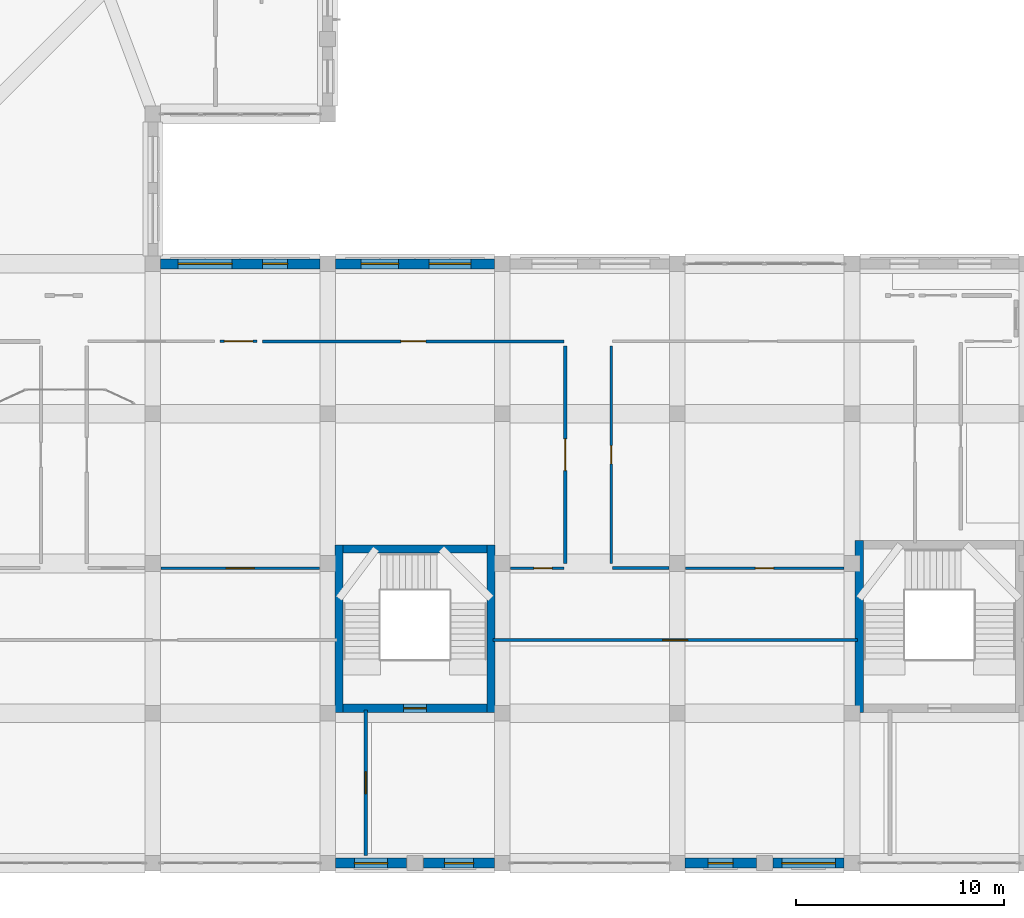
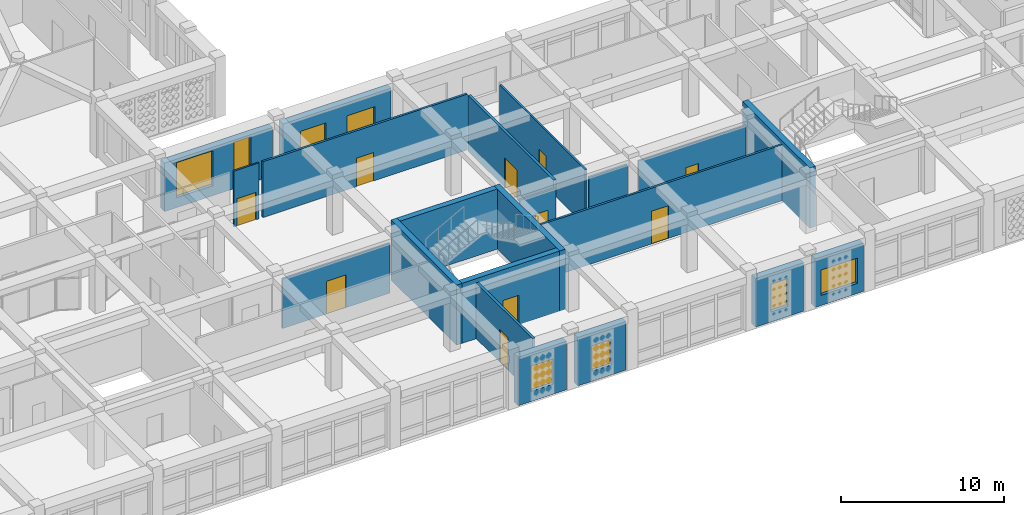
# One storey, part 78 of 121: 21 walls, 10 doors, 8 windows, 18 openings.
"""IFC4 building model written with IfcOpenShell, lengths in metres."""

import ifcopenshell
import ifcopenshell.guid

model = None  # the IFC model being written
_history = None  # IfcOwnerHistory: only IFC2X3 demands one
_inside = {}  # id of a spatial element -> (the spatial element, [elements in it])
_under = {}  # id of a project, library or spatial element -> (it, [spatial elements below it])
_declared = {}  # id of a project -> (the project, [libraries it declares])
_typed = {}  # id of a type object -> (the type object, [elements of that type])
_made_of = {}  # id of a material, layer set ... -> (it, [elements and type objects made of it])


def new_model(schema):
    """Start an empty IFC model of exactly this schema.

    Asked for "IFC4X3", IfcOpenShell would pick the latest addendum, in which some entities
    have other attributes; the version numbers below select the first issue.
    IFC2X3 requires an IfcOwnerHistory on every rooted entity: one is made here for all.
    """
    global model, _history
    if schema == "IFC4X3":
        model = ifcopenshell.file(schema_version=(4, 3, 0, 0))
    else:
        model = ifcopenshell.file(schema=schema)
    _inside.clear()
    _under.clear()
    _declared.clear()
    _typed.clear()
    _made_of.clear()
    _history = None
    if model.schema == "IFC2X3":
        org = make("IfcOrganization", Name="unknown")
        user = make(
            "IfcPersonAndOrganization",
            ThePerson=make("IfcPerson", FamilyName="unknown"),
            TheOrganization=org,
        )
        app = make(
            "IfcApplication",
            ApplicationDeveloper=org,
            Version="unknown",
            ApplicationFullName="unknown",
            ApplicationIdentifier="unknown",
        )
        _history = make(
            "IfcOwnerHistory",
            OwningUser=user,
            OwningApplication=app,
            ChangeAction="ADDED",
            CreationDate=0,
        )
    return model


def make(cls, **values):
    """One entity of the class cls with the attributes given. An attribute that is None is left unset."""
    return model.create_entity(
        cls, **{name: value for name, value in values.items() if value is not None}
    )


def rooted(cls, **values):
    """An entity with a GlobalId (a new one), such as an element, a storey or a relation."""
    return make(cls, GlobalId=ifcopenshell.guid.new(), OwnerHistory=_history, **values)


def si_unit(unit_type, name, prefix=None):
    """IfcSIUnit, for example si_unit("LENGTHUNIT", "METRE", prefix="MILLI")."""
    return make("IfcSIUnit", UnitType=unit_type, Prefix=prefix, Name=name)


def derived_unit(unit_type, elements):
    """IfcDerivedUnit: a product of units, each with its exponent."""
    return make(
        "IfcDerivedUnit",
        Elements=[
            make("IfcDerivedUnitElement", Unit=unit, Exponent=power)
            for unit, power in elements
        ],
        UnitType=unit_type,
    )


def assignment(units):
    """IfcUnitAssignment: the units of a project."""
    return None if units is None else make("IfcUnitAssignment", Units=units)


def point(xyz):
    """IfcCartesianPoint."""
    return None if xyz is None else make("IfcCartesianPoint", Coordinates=xyz)


def direction(xyz):
    """IfcDirection."""
    return None if xyz is None else make("IfcDirection", DirectionRatios=xyz)


def frame(location, z_axis=None, x_axis=None):
    """IfcAxis2Placement3D, a coordinate frame: its origin and axes. An axis left out is left unset."""
    return make(
        "IfcAxis2Placement3D",
        Location=point(location),
        Axis=direction(z_axis),
        RefDirection=direction(x_axis),
    )


def frame_2d(location, x_axis=None):
    """IfcAxis2Placement2D, a coordinate frame in the plane: its origin and x axis."""
    return make(
        "IfcAxis2Placement2D", Location=point(location), RefDirection=direction(x_axis)
    )


def origin():
    """The frame at (0, 0, 0) with its axes left unset."""
    return frame((0.0, 0.0, 0.0))


def place(relative_to, where):
    """IfcLocalPlacement: puts the frame where relative to a parent placement (None: the world)."""
    return make(
        "IfcLocalPlacement", PlacementRelTo=relative_to, RelativePlacement=where
    )


def context(
    kind, dimensions, precision=None, world=None, true_north=None, identifier=None
):
    """IfcGeometricRepresentationContext, for example the 3D "Model" context."""
    return make(
        "IfcGeometricRepresentationContext",
        ContextIdentifier=identifier,
        ContextType=kind,
        CoordinateSpaceDimension=dimensions,
        Precision=precision,
        WorldCoordinateSystem=world,
        TrueNorth=true_north,
    )


def subcontext(parent, identifier, kind, view, scale=None):
    """IfcGeometricRepresentationSubContext, for example "Body" below "Model"."""
    return make(
        "IfcGeometricRepresentationSubContext",
        ContextIdentifier=identifier,
        ContextType=kind,
        ParentContext=parent,
        TargetScale=scale,
        TargetView=view,
    )


def project(units=None, contexts=None):
    """IfcProject with its units and contexts."""
    return rooted(
        "IfcProject",
        Name="project",
        RepresentationContexts=contexts,
        UnitsInContext=assignment(units),
    )


def spatial(cls, under=None, at=None, **own):
    """A site, building, storey or space (cls), placed at a placement, below another one or the project."""
    s = rooted(cls, ObjectPlacement=at, **own)
    if under is not None:
        _under.setdefault(under.id(), (under, []))[1].append(s)
    return s


def profile(cls, at=None, kind="AREA", **sizes):
    """A parametric profile (cls). Its sizes go by their IFC names, for example OverallWidth=200.0."""
    return make(cls, ProfileType=kind, Position=at, **sizes)


def rectangle(**sizes):
    """IfcRectangleProfileDef."""
    return profile("IfcRectangleProfileDef", **sizes)


def extrude(swept, where, along, depth):
    """IfcExtrudedAreaSolid: the profile swept, set in the frame where, extruded along a direction by depth."""
    return make(
        "IfcExtrudedAreaSolid",
        SweptArea=swept,
        Position=where,
        ExtrudedDirection=direction(along),
        Depth=depth,
    )


def shape(context_of_items, identifier, shape_type, items):
    """IfcShapeRepresentation: the items that make up one representation, for example the "Body"."""
    return make(
        "IfcShapeRepresentation",
        ContextOfItems=context_of_items,
        RepresentationIdentifier=identifier,
        RepresentationType=shape_type,
        Items=items,
    )


def material(Name=None, Category=None):
    """IfcMaterial."""
    return make("IfcMaterial", Name=Name, Category=Category)


def layer(
    of_material, thickness, ventilated=None, Name=None, Category=None, Priority=None
):
    """IfcMaterialLayer: one layer of a wall or slab, of a material (None: an air gap)."""
    return make(
        "IfcMaterialLayer",
        Material=of_material,
        LayerThickness=thickness,
        IsVentilated=ventilated,
        Name=Name,
        Category=Category,
        Priority=Priority,
    )


def layer_set(layers, Name=None):
    """IfcMaterialLayerSet."""
    return make("IfcMaterialLayerSet", MaterialLayers=layers, LayerSetName=Name)


def made_of(thing, what):
    """Note that an element or type object is made of a material, layer set ...; save() writes the relation."""
    if what is not None:
        _made_of.setdefault(what.id(), (what, []))[1].append(thing)
    return thing


def type_object(cls, material=None, **own):
    """A type object (cls), such as IfcWallType, which elements share."""
    return made_of(rooted(cls, **own), material)


def element(
    cls,
    number,
    at=None,
    inside=None,
    cuts=None,
    type_object=None,
    material=None,
    context=None,
    identifier="Body",
    shape_type=None,
    held_by="IfcProductDefinitionShape",
    body=None,
    shapes=None,
    **own,
):
    """One element of the class cls, such as IfcWall. Its Tag is "e" and its number.

    at: its placement. inside: the storey or other place that contains it. cuts: it is an
    opening in that element (IfcRelVoidsElement). A single representation is given by context,
    identifier, shape_type and body (its items); several are given by shapes. held_by: the class
    of the entity that holds the representations. save() writes the other relations.
    """
    e = rooted(cls, Tag="e%d" % number, ObjectPlacement=at, **own)
    if body is not None:
        shapes = [shape(context, identifier, shape_type, body)]
    if shapes is not None:
        e.Representation = make(held_by, Representations=shapes)
    if inside is not None:
        _inside.setdefault(inside.id(), (inside, []))[1].append(e)
    if cuts is not None:
        rooted(
            "IfcRelVoidsElement", RelatingBuildingElement=cuts, RelatedOpeningElement=e
        )
    if type_object is not None:
        _typed.setdefault(type_object.id(), (type_object, []))[1].append(e)
    return made_of(e, material)


def fill(opening, filler):
    """IfcRelFillsElement: the door or window that sits in an opening."""
    return rooted(
        "IfcRelFillsElement",
        RelatingOpeningElement=opening,
        RelatedBuildingElement=filler,
    )


def aggregate(whole, parts):
    """IfcRelAggregates: a whole, such as a stair, and the parts it consists of."""
    return rooted("IfcRelAggregates", RelatingObject=whole, RelatedObjects=parts)


def save(model, path):
    """Write the relations noted so far, then the file.

    IfcRelAggregates (storeys below a building ...), IfcRelContainedInSpatialStructure (elements
    in a storey), IfcRelDefinesByType, IfcRelAssociatesMaterial and IfcRelDeclares: one each for
    every whole, place, type object, material and project.
    """
    for whole, parts in _under.values():
        aggregate(whole, parts)
    for where, things in _inside.values():
        rooted(
            "IfcRelContainedInSpatialStructure",
            RelatedElements=things,
            RelatingStructure=where,
        )
    for kind, things in _typed.values():
        rooted("IfcRelDefinesByType", RelatedObjects=things, RelatingType=kind)
    for what, things in _made_of.values():
        rooted("IfcRelAssociatesMaterial", RelatedObjects=things, RelatingMaterial=what)
    for by, libraries in _declared.values():
        rooted("IfcRelDeclares", RelatingContext=by, RelatedDefinitions=libraries)
    model.write(path)


model = new_model("IFC4")

# Units and contexts
model_context = context("Model", 3, precision=1e-05, world=origin(), true_north=direction((0.0, 1.0)))
body_context = subcontext(model_context, "Body", "Model", "MODEL_VIEW")
ifc_project = project(units=[si_unit("LENGTHUNIT", "METRE"), si_unit("AREAUNIT", "SQUARE_METRE"), si_unit("VOLUMEUNIT", "CUBIC_METRE"), si_unit("PLANEANGLEUNIT", "RADIAN"), si_unit("MASSUNIT", "GRAM", prefix="KILO"), derived_unit("THERMALTRANSMITTANCEUNIT", [(si_unit("POWERUNIT", "WATT"), 1), (si_unit("LENGTHUNIT", "METRE"), -2), (si_unit("THERMODYNAMICTEMPERATUREUNIT", "KELVIN"), -1)])], contexts=[model_context])

# Site, building, storey
site_placement = place(None, origin())
site = spatial("IfcSite", under=ifc_project, at=site_placement, CompositionType="ELEMENT")
building_placement = place(site_placement, origin())
building = spatial("IfcBuilding", under=site, at=building_placement, Name="Veybourne Emporium", CompositionType="ELEMENT")
storey_placement = place(building_placement, frame((0.0, 0.0, 5.39990234375)))
storey = spatial("IfcBuildingStorey", under=building, at=storey_placement, Name="L01", CompositionType="ELEMENT", Elevation=5.39990234375)

# Wall, openings, windows
ifc_material_1 = material(Name="Portland Limestone Ashlar", Category="masonry")
ifc_layer_1 = layer(ifc_material_1, 0.47998046875)
ifc_layer_set_1 = layer_set([ifc_layer_1], Name="Portland Limestone Ashlar")
wall_type_1 = type_object("IfcWallType", Name="ExtWall_EW-01", PredefinedType="SOLIDWALL", material=ifc_layer_set_1)
wall_1_placement = place(storey_placement, frame((92.77490234375, 28.800048828125, 0.0), z_axis=(0.0, 0.0, 1.0), x_axis=(1.0, 0.0, 0.0)))
wall_1 = element("IfcWall", 1, at=wall_1_placement, inside=storey, type_object=wall_type_1, Name="L01 Portland stone external wall 047", PredefinedType="SOLIDWALL", context=body_context, shape_type="SweptSolid", body=[
    extrude(rectangle(XDim=7.650146484375, YDim=0.47998046875, at=frame_2d((3.8251953125, 0.0))), origin(), (0.0, 0.0, 1.0), 3.630126953125),
])
opening_1_placement = place(wall_1_placement, frame((0.842041015625, 0.0, 0.75)))
opening_1 = element("IfcOpeningElement", 2, at=opening_1_placement, cuts=wall_1, Name="Opening W-40", PredefinedType="OPENING", context=body_context, shape_type="SweptSolid", body=[
    extrude(rectangle(XDim=2.60009765625, YDim=2.6201171875, at=frame_2d((1.300048828125, 1.31005859375))), frame((0.0, 0.260009765625, 0.0), z_axis=(0.0, -1.0, 0.0), x_axis=(1.0, 0.0, 0.0)), (0.0, 0.0, 1.0), 0.52001953125),
])
opening_2_placement = place(wall_1_placement, frame((4.907958984375, 0.0, 0.75)))
opening_2 = element("IfcOpeningElement", 3, at=opening_2_placement, cuts=wall_1, Name="Opening W-41", PredefinedType="OPENING", context=body_context, shape_type="SweptSolid", body=[
    extrude(rectangle(XDim=1.199951171875, YDim=2.72998046875, at=frame_2d((0.60009765625, 1.364990234375))), frame((0.0, 0.260009765625, 0.0), z_axis=(0.0, -1.0, 0.0), x_axis=(1.0, 0.0, 0.0)), (0.0, 0.0, 1.0), 0.52001953125),
])
ifc_material_2 = material(Name="Low-E Triple Glazing", Category="glass")
window_type_1 = type_object("IfcWindowType", Name="Win_W-40", PartitioningType="TRIPLE_PANEL_VERTICAL", PredefinedType="WINDOW", material=ifc_material_2)
window_1_placement = place(opening_1_placement, origin())
window_1 = element("IfcWindow", 4, at=window_1_placement, inside=storey, type_object=window_type_1, Name="L01 tripartite bronze casement window W-40 (47.1)", OverallHeight=2.6201171875, OverallWidth=2.60009765625, PartitioningType="TRIPLE_PANEL_VERTICAL", PredefinedType="WINDOW", context=body_context, shape_type="SweptSolid", body=[
    extrude(rectangle(XDim=2.60009765625, YDim=2.6201171875, at=frame_2d((1.300048828125, 1.31005859375))), frame((0.0, 0.030029296875, 0.0), z_axis=(0.0, -1.0, 0.0), x_axis=(1.0, 0.0, 0.0)), (0.0, 0.0, 1.0), 0.06005859375),
])
fill(opening_1, window_1)
window_type_2 = type_object("IfcWindowType", Name="Win_W-41", PartitioningType="SINGLE_PANEL", PredefinedType="WINDOW", material=ifc_material_2)
window_2_placement = place(opening_2_placement, origin())
window_2 = element("IfcWindow", 5, at=window_2_placement, inside=storey, type_object=window_type_2, Name="L01 tripartite bronze casement window W-41 (47.2)", OverallHeight=2.72998046875, OverallWidth=1.199951171875, PartitioningType="SINGLE_PANEL", PredefinedType="WINDOW", context=body_context, shape_type="SweptSolid", body=[
    extrude(rectangle(XDim=1.199951171875, YDim=2.72998046875, at=frame_2d((0.60009765625, 1.364990234375))), frame((0.0, 0.030029296875, 0.0), z_axis=(0.0, -1.0, 0.0), x_axis=(1.0, 0.0, 0.0)), (0.0, 0.0, 1.0), 0.06005859375),
])
fill(opening_2, window_2)

# Wall, opening, window
wall_2_placement = place(storey_placement, frame((108.824951171875, 0.0, 0.0), z_axis=(0.0, 0.0, 1.0), x_axis=(-1.0, 0.0, 0.0)))
wall_2 = element("IfcWall", 6, at=wall_2_placement, inside=storey, type_object=wall_type_1, Name="L01 Portland stone external wall 061A", PredefinedType="SOLIDWALL", context=body_context, shape_type="SweptSolid", body=[
    extrude(rectangle(XDim=3.425048828125, YDim=0.47998046875, at=frame_2d((1.71240234375, 0.0))), origin(), (0.0, 0.0, 1.0), 3.630126953125),
])
opening_3_placement = place(wall_2_placement, frame((1.012451171875, 0.0, 0.75)))
opening_3 = element("IfcOpeningElement", 7, at=opening_3_placement, cuts=wall_2, Name="Opening W-02", PredefinedType="OPENING", context=body_context, shape_type="SweptSolid", body=[
    extrude(rectangle(XDim=1.39990234375, YDim=1.89990234375, at=frame_2d((0.699951171875, 0.949951171875))), frame((0.0, 0.260009765625, 0.0), z_axis=(0.0, -1.0, 0.0), x_axis=(1.0, 0.0, 0.0)), (0.0, 0.0, 1.0), 0.52001953125),
])
window_type_3 = type_object("IfcWindowType", Name="Win_W-02", PartitioningType="DOUBLE_PANEL_VERTICAL", PredefinedType="WINDOW", material=ifc_material_2)
window_3_placement = place(opening_3_placement, origin())
window_3 = element("IfcWindow", 8, at=window_3_placement, inside=storey, type_object=window_type_3, Name="L01 tripartite bronze casement window W-02 (61A)", OverallHeight=1.89990234375, OverallWidth=1.39990234375, PartitioningType="DOUBLE_PANEL_VERTICAL", PredefinedType="WINDOW", context=body_context, shape_type="SweptSolid", body=[
    extrude(rectangle(XDim=1.39990234375, YDim=1.89990234375, at=frame_2d((0.699951171875, 0.949951171875))), frame((0.0, 0.030029296875, 0.0), z_axis=(0.0, -1.0, 0.0), x_axis=(1.0, 0.0, 0.0)), (0.0, 0.0, 1.0), 0.06005859375),
])
fill(opening_3, window_3)

wall_3_placement = place(storey_placement, frame((104.60009765625, 0.0, 0.0), z_axis=(0.0, 0.0, 1.0), x_axis=(-1.0, 0.0, 0.0)))
wall_3 = element("IfcWall", 9, at=wall_3_placement, inside=storey, type_object=wall_type_1, Name="L01 Portland stone external wall 061B", PredefinedType="SOLIDWALL", context=body_context, shape_type="SweptSolid", body=[
    extrude(rectangle(XDim=3.425048828125, YDim=0.47998046875, at=frame_2d((1.71240234375, 0.0))), origin(), (0.0, 0.0, 1.0), 3.630126953125),
])
opening_4_placement = place(wall_3_placement, frame((0.91259765625, 0.0, 0.75)))
opening_4 = element("IfcOpeningElement", 10, at=opening_4_placement, cuts=wall_3, Name="Opening W-03", PredefinedType="OPENING", context=body_context, shape_type="SweptSolid", body=[
    extrude(rectangle(XDim=1.60009765625, YDim=1.89990234375, at=frame_2d((0.800048828125, 0.949951171875))), frame((0.0, 0.260009765625, 0.0), z_axis=(0.0, -1.0, 0.0), x_axis=(1.0, 0.0, 0.0)), (0.0, 0.0, 1.0), 0.52001953125),
])
window_type_4 = type_object("IfcWindowType", Name="Win_W-03", PartitioningType="DOUBLE_PANEL_VERTICAL", PredefinedType="WINDOW", material=ifc_material_2)
window_4_placement = place(opening_4_placement, origin())
window_4 = element("IfcWindow", 11, at=window_4_placement, inside=storey, type_object=window_type_4, Name="L01 tripartite bronze casement window W-03 (61B)", OverallHeight=1.89990234375, OverallWidth=1.60009765625, PartitioningType="DOUBLE_PANEL_VERTICAL", PredefinedType="WINDOW", context=body_context, shape_type="SweptSolid", body=[
    extrude(rectangle(XDim=1.60009765625, YDim=1.89990234375, at=frame_2d((0.800048828125, 0.949951171875))), frame((0.0, 0.030029296875, 0.0), z_axis=(0.0, -1.0, 0.0), x_axis=(1.0, 0.0, 0.0)), (0.0, 0.0, 1.0), 0.06005859375),
])
fill(opening_4, window_4)

# Wall, openings, windows
wall_4_placement = place(storey_placement, frame((101.175048828125, 28.800048828125, 0.0), z_axis=(0.0, 0.0, 1.0), x_axis=(1.0, 0.0, 0.0)))
wall_4 = element("IfcWall", 12, at=wall_4_placement, inside=storey, type_object=wall_type_1, Name="L01 Portland stone external wall 062", PredefinedType="SOLIDWALL", context=body_context, shape_type="SweptSolid", body=[
    extrude(rectangle(XDim=7.64990234375, YDim=0.47998046875, at=frame_2d((3.824951171875, 0.0))), origin(), (0.0, 0.0, 1.0), 3.630126953125),
])
opening_5_placement = place(wall_4_placement, frame((1.241943359375, 0.0, 0.75)))
opening_5 = element("IfcOpeningElement", 13, at=opening_5_placement, cuts=wall_4, Name="Opening W-04", PredefinedType="OPENING", context=body_context, shape_type="SweptSolid", body=[
    extrude(rectangle(XDim=1.800048828125, YDim=1.89990234375, at=frame_2d((0.89990234375, 0.949951171875))), frame((0.0, 0.260009765625, 0.0), z_axis=(0.0, -1.0, 0.0), x_axis=(1.0, 0.0, 0.0)), (0.0, 0.0, 1.0), 0.52001953125),
])
opening_6_placement = place(wall_4_placement, frame((4.508056640625, 0.0, 0.75)))
opening_6 = element("IfcOpeningElement", 14, at=opening_6_placement, cuts=wall_4, Name="Opening W-05", PredefinedType="OPENING", context=body_context, shape_type="SweptSolid", body=[
    extrude(rectangle(XDim=2.0, YDim=1.89990234375, at=frame_2d((1.0, 0.949951171875))), frame((0.0, 0.260009765625, 0.0), z_axis=(0.0, -1.0, 0.0), x_axis=(1.0, 0.0, 0.0)), (0.0, 0.0, 1.0), 0.52001953125),
])
window_type_5 = type_object("IfcWindowType", Name="Win_W-04", PartitioningType="DOUBLE_PANEL_VERTICAL", PredefinedType="WINDOW", material=ifc_material_2)
window_5_placement = place(opening_5_placement, origin())
window_5 = element("IfcWindow", 15, at=window_5_placement, inside=storey, type_object=window_type_5, Name="L01 tripartite bronze casement window W-04 (62.1)", OverallHeight=1.89990234375, OverallWidth=1.800048828125, PartitioningType="DOUBLE_PANEL_VERTICAL", PredefinedType="WINDOW", context=body_context, shape_type="SweptSolid", body=[
    extrude(rectangle(XDim=1.800048828125, YDim=1.89990234375, at=frame_2d((0.89990234375, 0.949951171875))), frame((0.0, 0.030029296875, 0.0), z_axis=(0.0, -1.0, 0.0), x_axis=(1.0, 0.0, 0.0)), (0.0, 0.0, 1.0), 0.06005859375),
])
fill(opening_5, window_5)
window_type_6 = type_object("IfcWindowType", Name="Win_W-05", PartitioningType="TRIPLE_PANEL_VERTICAL", PredefinedType="WINDOW", material=ifc_material_2)
window_6_placement = place(opening_6_placement, origin())
window_6 = element("IfcWindow", 16, at=window_6_placement, inside=storey, type_object=window_type_6, Name="L01 tripartite bronze casement window W-05 (62.2)", OverallHeight=1.89990234375, OverallWidth=2.0, PartitioningType="TRIPLE_PANEL_VERTICAL", PredefinedType="WINDOW", context=body_context, shape_type="SweptSolid", body=[
    extrude(rectangle(XDim=2.0, YDim=1.89990234375, at=frame_2d((1.0, 0.949951171875))), frame((0.0, 0.030029296875, 0.0), z_axis=(0.0, -1.0, 0.0), x_axis=(1.0, 0.0, 0.0)), (0.0, 0.0, 1.0), 0.06005859375),
])
fill(opening_6, window_6)

# Wall, opening, window
wall_5_placement = place(storey_placement, frame((125.625, 0.0, 0.0), z_axis=(0.0, 0.0, 1.0), x_axis=(-1.0, 0.0, 0.0)))
wall_5 = element("IfcWall", 17, at=wall_5_placement, inside=storey, type_object=wall_type_1, Name="L01 Portland stone external wall 065A", PredefinedType="SOLIDWALL", context=body_context, shape_type="SweptSolid", body=[
    extrude(rectangle(XDim=3.425048828125, YDim=0.47998046875, at=frame_2d((1.71240234375, 0.0))), origin(), (0.0, 0.0, 1.0), 3.630126953125),
])
opening_7_placement = place(wall_5_placement, frame((0.427490234375, 0.0, 0.75)))
opening_7 = element("IfcOpeningElement", 18, at=opening_7_placement, cuts=wall_5, Name="Opening W-08", PredefinedType="OPENING", context=body_context, shape_type="SweptSolid", body=[
    extrude(rectangle(XDim=2.570068359375, YDim=1.89990234375, at=frame_2d((1.28515625, 0.949951171875))), frame((0.0, 0.260009765625, 0.0), z_axis=(0.0, -1.0, 0.0), x_axis=(1.0, 0.0, 0.0)), (0.0, 0.0, 1.0), 0.52001953125),
])
window_type_7 = type_object("IfcWindowType", Name="Win_W-08", PartitioningType="TRIPLE_PANEL_VERTICAL", PredefinedType="WINDOW", material=ifc_material_2)
window_7_placement = place(opening_7_placement, origin())
window_7 = element("IfcWindow", 19, at=window_7_placement, inside=storey, type_object=window_type_7, Name="L01 tripartite bronze casement window W-08 (65A)", OverallHeight=1.89990234375, OverallWidth=2.570068359375, PartitioningType="TRIPLE_PANEL_VERTICAL", PredefinedType="WINDOW", context=body_context, shape_type="SweptSolid", body=[
    extrude(rectangle(XDim=2.570068359375, YDim=1.89990234375, at=frame_2d((1.28515625, 0.949951171875))), frame((0.0, 0.030029296875, 0.0), z_axis=(0.0, -1.0, 0.0), x_axis=(1.0, 0.0, 0.0)), (0.0, 0.0, 1.0), 0.06005859375),
])
fill(opening_7, window_7)

wall_6_placement = place(storey_placement, frame((121.39990234375, 0.0, 0.0), z_axis=(0.0, 0.0, 1.0), x_axis=(-1.0, 0.0, 0.0)))
wall_6 = element("IfcWall", 20, at=wall_6_placement, inside=storey, type_object=wall_type_1, Name="L01 Portland stone external wall 065B", PredefinedType="SOLIDWALL", context=body_context, shape_type="SweptSolid", body=[
    extrude(rectangle(XDim=3.4248046875, YDim=0.47998046875, at=frame_2d((1.71240234375, 0.0))), origin(), (0.0, 0.0, 1.0), 3.630126953125),
])
opening_8_placement = place(wall_6_placement, frame((1.112548828125, 0.0, 0.75)))
opening_8 = element("IfcOpeningElement", 21, at=opening_8_placement, cuts=wall_6, Name="Opening W-09", PredefinedType="OPENING", context=body_context, shape_type="SweptSolid", body=[
    extrude(rectangle(XDim=1.199951171875, YDim=2.080078125, at=frame_2d((0.60009765625, 1.0400390625))), frame((0.0, 0.260009765625, 0.0), z_axis=(0.0, -1.0, 0.0), x_axis=(1.0, 0.0, 0.0)), (0.0, 0.0, 1.0), 0.52001953125),
])
window_type_8 = type_object("IfcWindowType", Name="Win_W-09", PartitioningType="SINGLE_PANEL", PredefinedType="WINDOW", material=ifc_material_2)
window_8_placement = place(opening_8_placement, origin())
window_8 = element("IfcWindow", 22, at=window_8_placement, inside=storey, type_object=window_type_8, Name="L01 tripartite bronze casement window W-09 (65B)", OverallHeight=2.080078125, OverallWidth=1.199951171875, PartitioningType="SINGLE_PANEL", PredefinedType="WINDOW", context=body_context, shape_type="SweptSolid", body=[
    extrude(rectangle(XDim=1.199951171875, YDim=2.080078125, at=frame_2d((0.60009765625, 1.0400390625))), frame((0.0, 0.030029296875, 0.0), z_axis=(0.0, -1.0, 0.0), x_axis=(1.0, 0.0, 0.0)), (0.0, 0.0, 1.0), 0.06005859375),
])
fill(opening_8, window_8)

# Wall
ifc_material_3 = material(Name="Concrete C40/50", Category="concrete")
ifc_layer_2 = layer(ifc_material_3, 0.39990234375)
ifc_layer_set_2 = layer_set([ifc_layer_2], Name="Concrete C40/50")
wall_type_2 = type_object("IfcWallType", Name="IntWall_CW-01", PredefinedType="SHEAR", material=ifc_layer_set_2)
wall_7_placement = place(storey_placement, frame((126.35009765625, 15.5, 0.0), z_axis=(0.0, 0.0, 1.0), x_axis=(0.0, -1.0, 0.0)))
element("IfcWall", 23, at=wall_7_placement, inside=storey, type_object=wall_type_2, Name="Core stair ST-06 west shear wall (L01)", PredefinedType="SHEAR", context=body_context, shape_type="SweptSolid", body=[
    extrude(rectangle(XDim=8.25, YDim=0.39990234375, at=frame_2d((4.125, 0.0))), origin(), (0.0, 0.0, 1.0), 4.5),
])

# Wall, opening, door
wall_8_placement = place(storey_placement, frame((108.449951171875, 7.449951171875, 0.0), z_axis=(0.0, 0.0, 1.0), x_axis=(-1.0, 0.0, 0.0)))
wall_8 = element("IfcWall", 24, at=wall_8_placement, inside=storey, type_object=wall_type_2, Name="Core stair ST-11 south shear wall (L01)", PredefinedType="SHEAR", context=body_context, shape_type="SweptSolid", body=[
    extrude(rectangle(XDim=6.89990234375, YDim=0.39990234375, at=frame_2d((3.449951171875, 0.0))), origin(), (0.0, 0.0, 1.0), 4.5),
])
opening_9_placement = place(wall_8_placement, frame((2.89990234375, 0.0, 0.0)))
opening_9 = element("IfcOpeningElement", 25, at=opening_9_placement, cuts=wall_8, Name="Opening FD-01", PredefinedType="OPENING", context=body_context, shape_type="SweptSolid", body=[
    extrude(rectangle(XDim=1.10009765625, YDim=2.199951171875, at=frame_2d((0.550048828125, 1.10009765625))), frame((0.0, 0.219970703125, 0.0), z_axis=(0.0, -1.0, 0.0), x_axis=(1.0, 0.0, 0.0)), (0.0, 0.0, 1.0), 0.43994140625),
])
ifc_material_4 = material(Name="Patinated Architectural Bronze", Category="bronze")
door_type_1 = type_object("IfcDoorType", Name="FireDoor_FD-01", OperationType="NOTDEFINED", PredefinedType="DOOR", material=ifc_material_4)
door_1_placement = place(opening_9_placement, origin())
door_1 = element("IfcDoor", 26, at=door_1_placement, inside=storey, type_object=door_type_1, Name="Stair ST-11 fire door (L01)", OperationType="SINGLE_SWING_LEFT", OverallHeight=2.199951171875, OverallWidth=1.10009765625, PredefinedType="DOOR", context=body_context, shape_type="SweptSolid", body=[
    extrude(rectangle(XDim=1.10009765625, YDim=2.199951171875, at=frame_2d((0.550048828125, 1.10009765625))), frame((0.0, 0.02490234375, 0.0), z_axis=(0.0, -1.0, 0.0), x_axis=(1.0, 0.0, 0.0)), (0.0, 0.0, 1.0), 0.050048828125),
])
fill(opening_9, door_1)

# Walls
wall_9_placement = place(storey_placement, frame((101.550048828125, 15.10009765625, 0.0), z_axis=(0.0, 0.0, 1.0), x_axis=(1.0, 0.0, 0.0)))
element("IfcWall", 27, at=wall_9_placement, inside=storey, type_object=wall_type_2, Name="Core stair ST-11 north shear wall (L01)", PredefinedType="SHEAR", context=body_context, shape_type="SweptSolid", body=[
    extrude(rectangle(XDim=6.89990234375, YDim=0.39990234375, at=frame_2d((3.449951171875, 0.0))), origin(), (0.0, 0.0, 1.0), 4.5),
])
for number, where, z_axis, x_axis, name in (
    (28, (101.35009765625, 15.300048828125, 0.0), (0.0, 0.0, 1.0), (0.0, -1.0, 0.0), "Core stair ST-11 west shear wall (L01)"),
    (29, (108.64990234375, 7.25, 0.0), (0.0, 0.0, 1.0), (0.0, 1.0, 0.0), "Core stair ST-11 east shear wall (L01)"),
):
    element("IfcWall", number, at=place(storey_placement, frame(where, z_axis=z_axis, x_axis=x_axis)), inside=storey, type_object=wall_type_2, Name=name, PredefinedType="SHEAR", context=body_context, shape_type="SweptSolid", body=[
        extrude(rectangle(XDim=8.050048828125, YDim=0.39990234375, at=frame_2d((4.02490234375, 0.0))), origin(), (0.0, 0.0, 1.0), 4.5),
    ])

# Wall, opening, door
ifc_material_5 = material(Name="Gypsum Acoustic Board", Category="gypsum")
ifc_layer_3 = layer(ifc_material_5, 0.179931640625)
ifc_layer_set_3 = layer_set([ifc_layer_3], Name="Gypsum Acoustic Board")
wall_type_3 = type_object("IfcWallType", Name="IntWall_IW-01", PredefinedType="PARTITIONING", material=ifc_layer_set_3)
wall_10_placement = place(storey_placement, frame((112.219970703125, 14.389892578125, 0.0), z_axis=(0.0, 0.0, 1.0), x_axis=(0.0, 1.0, 0.0)))
wall_10 = element("IfcWall", 30, at=wall_10_placement, inside=storey, type_object=wall_type_3, Name="L01 interior partition IW-01 #064", PredefinedType="PARTITIONING", context=body_context, shape_type="SweptSolid", body=[
    extrude(rectangle(XDim=10.47021484375, YDim=0.179931640625, at=frame_2d((5.235107421875, 0.0))), origin(), (0.0, 0.0, 1.0), 4.18017578125),
])
opening_10_placement = place(wall_10_placement, frame((4.47509765625, 0.0, 0.0)))
opening_10 = element("IfcOpeningElement", 31, at=opening_10_placement, cuts=wall_10, Name="Opening D-17", PredefinedType="OPENING", context=body_context, shape_type="SweptSolid", body=[
    extrude(rectangle(XDim=1.52001953125, YDim=2.2099609375, at=frame_2d((0.760009765625, 1.10498046875))), frame((0.0, 0.10986328125, 0.0), z_axis=(0.0, -1.0, 0.0), x_axis=(1.0, 0.0, 0.0)), (0.0, 0.0, 1.0), 0.219970703125),
])
ifc_material_6 = material(Name="European Oak Veneer and Bronze", Category="wood")
door_type_2 = type_object("IfcDoorType", Name="IntDoor_D-17", OperationType="NOTDEFINED", PredefinedType="DOOR", material=ifc_material_6)
door_2_placement = place(opening_10_placement, origin())
door_2 = element("IfcDoor", 32, at=door_2_placement, inside=storey, type_object=door_type_2, Name="L01 interior door D-17 (PART-L01-064)", OperationType="SINGLE_SWING_RIGHT", OverallHeight=2.2099609375, OverallWidth=1.52001953125, PredefinedType="DOOR", context=body_context, shape_type="SweptSolid", body=[
    extrude(rectangle(XDim=1.52001953125, YDim=2.2099609375, at=frame_2d((0.760009765625, 1.10498046875))), frame((0.0, 0.02490234375, 0.0), z_axis=(0.0, -1.0, 0.0), x_axis=(1.0, 0.0, 0.0)), (0.0, 0.0, 1.0), 0.050048828125),
])
fill(opening_10, door_2)

wall_11_placement = place(storey_placement, frame((102.6298828125, 0.3701171875, 0.0), z_axis=(0.0, 0.0, 1.0), x_axis=(0.0, 1.0, 0.0)))
wall_11 = element("IfcWall", 33, at=wall_11_placement, inside=storey, type_object=wall_type_3, Name="L01 interior partition IW-01 #079", PredefinedType="PARTITIONING", context=body_context, shape_type="SweptSolid", body=[
    extrude(rectangle(XDim=6.989990234375, YDim=0.179931640625, at=frame_2d((3.4951171875, 0.0))), origin(), (0.0, 0.0, 1.0), 4.18017578125),
])
opening_11_placement = place(wall_11_placement, frame((2.97509765625, 0.0, 0.0)))
opening_11 = element("IfcOpeningElement", 34, at=opening_11_placement, cuts=wall_11, Name="Opening D-32", PredefinedType="OPENING", context=body_context, shape_type="SweptSolid", body=[
    extrude(rectangle(XDim=1.0400390625, YDim=2.449951171875, at=frame_2d((0.52001953125, 1.22509765625))), frame((0.0, 0.10986328125, 0.0), z_axis=(0.0, -1.0, 0.0), x_axis=(1.0, 0.0, 0.0)), (0.0, 0.0, 1.0), 0.219970703125),
])
door_type_3 = type_object("IfcDoorType", Name="IntDoor_D-32", OperationType="NOTDEFINED", PredefinedType="DOOR", material=ifc_material_6)
door_3_placement = place(opening_11_placement, origin())
door_3 = element("IfcDoor", 35, at=door_3_placement, inside=storey, type_object=door_type_3, Name="L01 interior door D-32 (PART-L01-079)", OperationType="SINGLE_SWING_RIGHT", OverallHeight=2.449951171875, OverallWidth=1.0400390625, PredefinedType="DOOR", context=body_context, shape_type="SweptSolid", body=[
    extrude(rectangle(XDim=1.0400390625, YDim=2.449951171875, at=frame_2d((0.52001953125, 1.22509765625))), frame((0.0, 0.02490234375, 0.0), z_axis=(0.0, -1.0, 0.0), x_axis=(1.0, 0.0, 0.0)), (0.0, 0.0, 1.0), 0.050048828125),
])
fill(opening_11, door_3)

ifc_layer_4 = layer(ifc_material_5, 0.14990234375)
ifc_layer_set_4 = layer_set([ifc_layer_4], Name="Gypsum Acoustic Board")
wall_type_4 = type_object("IfcWallType", Name="IntWall_IW-02", PredefinedType="PARTITIONING", material=ifc_layer_set_4)
wall_12_placement = place(storey_placement, frame((108.739990234375, 10.719970703125, 0.0), z_axis=(0.0, 0.0, 1.0), x_axis=(1.0, 0.0, 0.0)))
wall_12 = element("IfcWall", 36, at=wall_12_placement, inside=storey, type_object=wall_type_4, Name="L01 interior partition IW-02 #008", PredefinedType="PARTITIONING", context=body_context, shape_type="SweptSolid", body=[
    extrude(rectangle(XDim=17.52001953125, YDim=0.14990234375, at=frame_2d((8.760009765625, 0.0))), origin(), (0.0, 0.0, 1.0), 4.18017578125),
])
opening_12_placement = place(wall_12_placement, frame((8.159912109375, 0.0, 0.0)))
opening_12 = element("IfcOpeningElement", 37, at=opening_12_placement, cuts=wall_12, Name="Opening D-33", PredefinedType="OPENING", context=body_context, shape_type="SweptSolid", body=[
    extrude(rectangle(XDim=1.199951171875, YDim=2.449951171875, at=frame_2d((0.60009765625, 1.22509765625))), frame((0.0, 0.094970703125, 0.0), z_axis=(0.0, -1.0, 0.0), x_axis=(1.0, 0.0, 0.0)), (0.0, 0.0, 1.0), 0.18994140625),
])
door_type_4 = type_object("IfcDoorType", Name="IntDoor_D-33", OperationType="NOTDEFINED", PredefinedType="DOOR", material=ifc_material_6)
door_4_placement = place(opening_12_placement, origin())
door_4 = element("IfcDoor", 38, at=door_4_placement, inside=storey, type_object=door_type_4, Name="L01 interior door D-33 (PART-L01-008)", OperationType="SINGLE_SWING_RIGHT", OverallHeight=2.449951171875, OverallWidth=1.199951171875, PredefinedType="DOOR", context=body_context, shape_type="SweptSolid", body=[
    extrude(rectangle(XDim=1.199951171875, YDim=2.449951171875, at=frame_2d((0.60009765625, 1.22509765625))), frame((0.0, 0.02490234375, 0.0), z_axis=(0.0, -1.0, 0.0), x_axis=(1.0, 0.0, 0.0)), (0.0, 0.0, 1.0), 0.050048828125),
])
fill(opening_12, door_4)

wall_13_placement = place(storey_placement, frame((97.679931640625, 25.070068359375, 0.0), z_axis=(0.0, 0.0, 1.0), x_axis=(1.0, 0.0, 0.0)))
wall_13 = element("IfcWall", 39, at=wall_13_placement, inside=storey, type_object=wall_type_4, Name="L01 interior partition IW-02 #020", PredefinedType="PARTITIONING", context=body_context, shape_type="SweptSolid", body=[
    extrude(rectangle(XDim=14.489990234375, YDim=0.14990234375, at=frame_2d((7.2451171875, 0.0))), origin(), (0.0, 0.0, 1.0), 4.18017578125),
])
opening_13_placement = place(wall_13_placement, frame((6.64501953125, 0.0, 0.0)))
opening_13 = element("IfcOpeningElement", 40, at=opening_13_placement, cuts=wall_13, Name="Opening D-09", PredefinedType="OPENING", context=body_context, shape_type="SweptSolid", body=[
    extrude(rectangle(XDim=1.199951171875, YDim=2.1298828125, at=frame_2d((0.60009765625, 1.06494140625))), frame((0.0, 0.094970703125, 0.0), z_axis=(0.0, -1.0, 0.0), x_axis=(1.0, 0.0, 0.0)), (0.0, 0.0, 1.0), 0.18994140625),
])
door_type_5 = type_object("IfcDoorType", Name="IntDoor_D-09", OperationType="NOTDEFINED", PredefinedType="DOOR", material=ifc_material_6)
door_5_placement = place(opening_13_placement, origin())
door_5 = element("IfcDoor", 41, at=door_5_placement, inside=storey, type_object=door_type_5, Name="L01 interior door D-09 (PART-L01-020)", OperationType="SINGLE_SWING_LEFT", OverallHeight=2.1298828125, OverallWidth=1.199951171875, PredefinedType="DOOR", context=body_context, shape_type="SweptSolid", body=[
    extrude(rectangle(XDim=1.199951171875, YDim=2.1298828125, at=frame_2d((0.60009765625, 1.06494140625))), frame((0.0, 0.02490234375, 0.0), z_axis=(0.0, -1.0, 0.0), x_axis=(1.0, 0.0, 0.0)), (0.0, 0.0, 1.0), 0.050048828125),
])
fill(opening_13, door_5)

# Wall
wall_14_placement = place(storey_placement, frame((114.47998046875, 14.179931640625, 0.0), z_axis=(0.0, 0.0, 1.0), x_axis=(1.0, 0.0, 0.0)))
element("IfcWall", 42, at=wall_14_placement, inside=storey, type_object=wall_type_4, Name="L01 interior partition IW-02 #047", PredefinedType="PARTITIONING", context=body_context, shape_type="SweptSolid", body=[
    extrude(rectangle(XDim=2.72509765625, YDim=0.14990234375, at=frame_2d((1.362548828125, 0.0))), origin(), (0.0, 0.0, 1.0), 3.72998046875),
])

# Wall, opening, door
ifc_layer_5 = layer(ifc_material_5, 0.1201171875)
ifc_layer_set_5 = layer_set([ifc_layer_5], Name="Gypsum Acoustic Board")
wall_type_5 = type_object("IfcWallType", Name="IntWall_IW-03", PredefinedType="PARTITIONING", material=ifc_layer_set_5)
wall_15_placement = place(storey_placement, frame((92.794921875, 14.179931640625, 0.0), z_axis=(0.0, 0.0, 1.0), x_axis=(1.0, 0.0, 0.0)))
wall_15 = element("IfcWall", 43, at=wall_15_placement, inside=storey, type_object=wall_type_5, Name="L01 interior partition IW-03 #045", PredefinedType="PARTITIONING", context=body_context, shape_type="SweptSolid", body=[
    extrude(rectangle(XDim=7.610107421875, YDim=0.1201171875, at=frame_2d((3.80517578125, 0.0))), origin(), (0.0, 0.0, 1.0), 3.72998046875),
])
opening_14_placement = place(wall_15_placement, frame((3.125, 0.0, 0.0)))
opening_14 = element("IfcOpeningElement", 44, at=opening_14_placement, cuts=wall_15, Name="Opening D-34", PredefinedType="OPENING", context=body_context, shape_type="SweptSolid", body=[
    extrude(rectangle(XDim=1.360107421875, YDim=2.449951171875, at=frame_2d((0.68017578125, 1.22509765625))), frame((0.0, 0.080078125, 0.0), z_axis=(0.0, -1.0, 0.0), x_axis=(1.0, 0.0, 0.0)), (0.0, 0.0, 1.0), 0.16015625),
])
door_type_6 = type_object("IfcDoorType", Name="IntDoor_D-34", OperationType="NOTDEFINED", PredefinedType="DOOR", material=ifc_material_6)
door_6_placement = place(opening_14_placement, origin())
door_6 = element("IfcDoor", 45, at=door_6_placement, inside=storey, type_object=door_type_6, Name="L01 interior door D-34 (PART-L01-045)", OperationType="SINGLE_SWING_RIGHT", OverallHeight=2.449951171875, OverallWidth=1.360107421875, PredefinedType="DOOR", context=body_context, shape_type="SweptSolid", body=[
    extrude(rectangle(XDim=1.360107421875, YDim=2.449951171875, at=frame_2d((0.68017578125, 1.22509765625))), frame((0.0, 0.02490234375, 0.0), z_axis=(0.0, -1.0, 0.0), x_axis=(1.0, 0.0, 0.0)), (0.0, 0.0, 1.0), 0.050048828125),
])
fill(opening_14, door_6)

wall_16_placement = place(storey_placement, frame((117.9951171875, 14.179931640625, 0.0), z_axis=(0.0, 0.0, 1.0), x_axis=(1.0, 0.0, 0.0)))
wall_16 = element("IfcWall", 46, at=wall_16_placement, inside=storey, type_object=wall_type_5, Name="L01 interior partition IW-03 #048", PredefinedType="PARTITIONING", context=body_context, shape_type="SweptSolid", body=[
    extrude(rectangle(XDim=7.60986328125, YDim=0.1201171875, at=frame_2d((3.804931640625, 0.0))), origin(), (0.0, 0.0, 1.0), 3.72998046875),
])
opening_15_placement = place(wall_16_placement, frame((3.364990234375, 0.0, 0.0)))
opening_15 = element("IfcOpeningElement", 47, at=opening_15_placement, cuts=wall_16, Name="Opening D-01", PredefinedType="OPENING", context=body_context, shape_type="SweptSolid", body=[
    extrude(rectangle(XDim=0.8798828125, YDim=2.050048828125, at=frame_2d((0.43994140625, 1.02490234375))), frame((0.0, 0.080078125, 0.0), z_axis=(0.0, -1.0, 0.0), x_axis=(1.0, 0.0, 0.0)), (0.0, 0.0, 1.0), 0.16015625),
])
door_type_7 = type_object("IfcDoorType", Name="IntDoor_D-01", OperationType="NOTDEFINED", PredefinedType="DOOR", material=ifc_material_6)
door_7_placement = place(opening_15_placement, origin())
door_7 = element("IfcDoor", 48, at=door_7_placement, inside=storey, type_object=door_type_7, Name="L01 interior door D-01 (PART-L01-048)", OperationType="SINGLE_SWING_RIGHT", OverallHeight=2.050048828125, OverallWidth=0.8798828125, PredefinedType="DOOR", context=body_context, shape_type="SweptSolid", body=[
    extrude(rectangle(XDim=0.8798828125, YDim=2.050048828125, at=frame_2d((0.43994140625, 1.02490234375))), frame((0.0, 0.02490234375, 0.0), z_axis=(0.0, -1.0, 0.0), x_axis=(1.0, 0.0, 0.0)), (0.0, 0.0, 1.0), 0.050048828125),
])
fill(opening_15, door_7)

wall_17_placement = place(storey_placement, frame((114.429931640625, 14.389892578125, 0.0), z_axis=(0.0, 0.0, 1.0), x_axis=(0.0, 1.0, 0.0)))
wall_17 = element("IfcWall", 49, at=wall_17_placement, inside=storey, type_object=wall_type_5, Name="L01 interior partition IW-03 #066", PredefinedType="PARTITIONING", context=body_context, shape_type="SweptSolid", body=[
    extrude(rectangle(XDim=10.47021484375, YDim=0.1201171875, at=frame_2d((5.235107421875, 0.0))), origin(), (0.0, 0.0, 1.0), 4.18017578125),
])
opening_16_placement = place(wall_17_placement, frame((4.794921875, 0.0, 0.0)))
opening_16 = element("IfcOpeningElement", 50, at=opening_16_placement, cuts=wall_17, Name="Opening D-19", PredefinedType="OPENING", context=body_context, shape_type="SweptSolid", body=[
    extrude(rectangle(XDim=0.8798828125, YDim=2.2900390625, at=frame_2d((0.43994140625, 1.14501953125))), frame((0.0, 0.080078125, 0.0), z_axis=(0.0, -1.0, 0.0), x_axis=(1.0, 0.0, 0.0)), (0.0, 0.0, 1.0), 0.16015625),
])
door_type_8 = type_object("IfcDoorType", Name="IntDoor_D-19", OperationType="NOTDEFINED", PredefinedType="DOOR", material=ifc_material_6)
door_8_placement = place(opening_16_placement, origin())
door_8 = element("IfcDoor", 51, at=door_8_placement, inside=storey, type_object=door_type_8, Name="L01 interior door D-19 (PART-L01-066)", OperationType="SINGLE_SWING_LEFT", OverallHeight=2.2900390625, OverallWidth=0.8798828125, PredefinedType="DOOR", context=body_context, shape_type="SweptSolid", body=[
    extrude(rectangle(XDim=0.8798828125, YDim=2.2900390625, at=frame_2d((0.43994140625, 1.14501953125))), frame((0.0, 0.02490234375, 0.0), z_axis=(0.0, -1.0, 0.0), x_axis=(1.0, 0.0, 0.0)), (0.0, 0.0, 1.0), 0.050048828125),
])
fill(opening_16, door_8)

wall_18_placement = place(storey_placement, frame((109.594970703125, 14.179931640625, 0.0), z_axis=(0.0, 0.0, 1.0), x_axis=(1.0, 0.0, 0.0)))
wall_18 = element("IfcWall", 52, at=wall_18_placement, inside=storey, type_object=wall_type_5, Name="L01 interior partition IW-03 #102", PredefinedType="PARTITIONING", context=body_context, shape_type="SweptSolid", body=[
    extrude(rectangle(XDim=2.574951171875, YDim=0.1201171875, at=frame_2d((1.28759765625, 0.0))), origin(), (0.0, 0.0, 1.0), 3.72998046875),
])
opening_17_placement = place(wall_18_placement, frame((1.11865234375, 0.0, 0.0)))
opening_17 = element("IfcOpeningElement", 53, at=opening_17_placement, cuts=wall_18, Name="Opening D-19", PredefinedType="OPENING", context=body_context, shape_type="SweptSolid", body=[
    extrude(rectangle(XDim=0.8798828125, YDim=2.2900390625, at=frame_2d((0.43994140625, 1.14501953125))), frame((0.0, 0.080078125, 0.0), z_axis=(0.0, -1.0, 0.0), x_axis=(1.0, 0.0, 0.0)), (0.0, 0.0, 1.0), 0.16015625),
])
door_9_placement = place(opening_17_placement, origin())
door_9 = element("IfcDoor", 54, at=door_9_placement, inside=storey, type_object=door_type_8, Name="L01 interior door D-19 (PART-L01-102)", OperationType="SINGLE_SWING_LEFT", OverallHeight=2.2900390625, OverallWidth=0.8798828125, PredefinedType="DOOR", context=body_context, shape_type="SweptSolid", body=[
    extrude(rectangle(XDim=0.8798828125, YDim=2.2900390625, at=frame_2d((0.43994140625, 1.14501953125))), frame((0.0, 0.02490234375, 0.0), z_axis=(0.0, -1.0, 0.0), x_axis=(1.0, 0.0, 0.0)), (0.0, 0.0, 1.0), 0.050048828125),
])
fill(opening_17, door_9)

wall_19_placement = place(storey_placement, frame((95.6298828125, 25.070068359375, 0.0), z_axis=(0.0, 0.0, 1.0), x_axis=(1.0, 0.0, 0.0)))
wall_19 = element("IfcWall", 55, at=wall_19_placement, inside=storey, type_object=wall_type_5, Name="L01 interior partition IW-03 #159", PredefinedType="PARTITIONING", context=body_context, shape_type="SweptSolid", body=[
    extrude(rectangle(XDim=1.7900390625, YDim=0.1201171875, at=frame_2d((0.89501953125, 0.0))), origin(), (0.0, 0.0, 1.0), 4.18017578125),
])
opening_18_placement = place(wall_19_placement, frame((0.215087890625, 0.0, 0.0)))
opening_18 = element("IfcOpeningElement", 56, at=opening_18_placement, cuts=wall_19, Name="Opening D-04", PredefinedType="OPENING", context=body_context, shape_type="SweptSolid", body=[
    extrude(rectangle(XDim=1.360107421875, YDim=2.050048828125, at=frame_2d((0.68017578125, 1.02490234375))), frame((0.0, 0.080078125, 0.0), z_axis=(0.0, -1.0, 0.0), x_axis=(1.0, 0.0, 0.0)), (0.0, 0.0, 1.0), 0.16015625),
])
door_type_9 = type_object("IfcDoorType", Name="IntDoor_D-04", OperationType="NOTDEFINED", PredefinedType="DOOR", material=ifc_material_6)
door_10_placement = place(opening_18_placement, origin())
door_10 = element("IfcDoor", 57, at=door_10_placement, inside=storey, type_object=door_type_9, Name="L01 interior door D-04 (PART-L01-159)", OperationType="SINGLE_SWING_RIGHT", OverallHeight=2.050048828125, OverallWidth=1.360107421875, PredefinedType="DOOR", context=body_context, shape_type="SweptSolid", body=[
    extrude(rectangle(XDim=1.360107421875, YDim=2.050048828125, at=frame_2d((0.68017578125, 1.02490234375))), frame((0.0, 0.02490234375, 0.0), z_axis=(0.0, -1.0, 0.0), x_axis=(1.0, 0.0, 0.0)), (0.0, 0.0, 1.0), 0.050048828125),
])
fill(opening_18, door_10)

save(model, "model.ifc")
